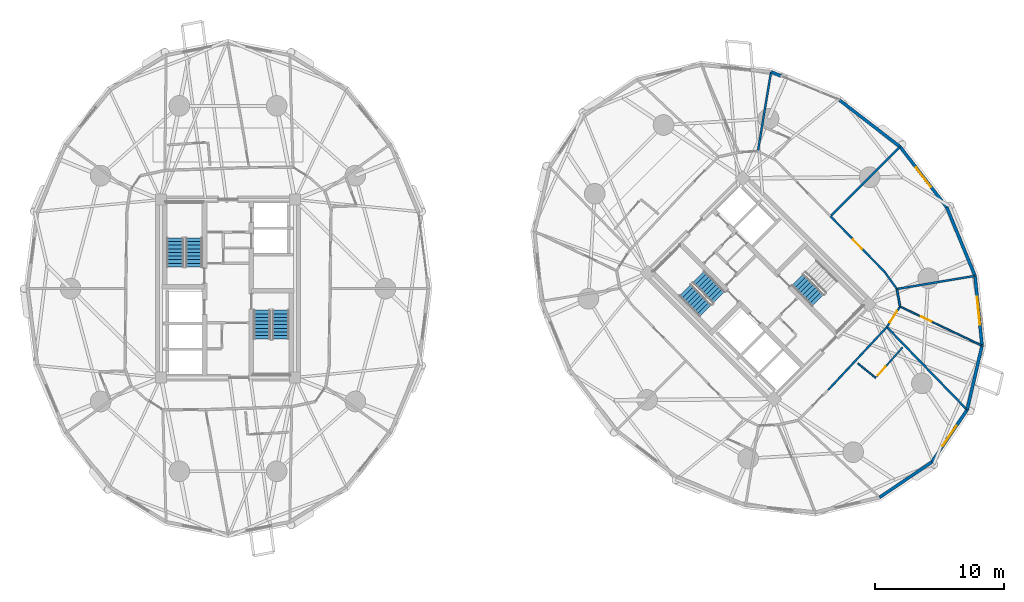
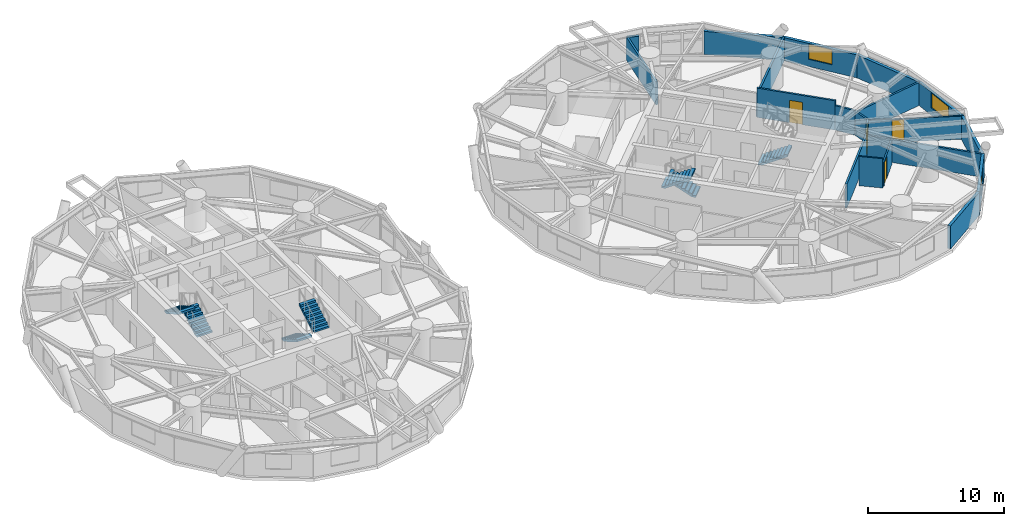
# One storey, part 15 of 18: 20 walls, 7 stair flights, 4 doors, 3 windows, 7 openings, 4 elements without a shape of their own.
"""IFC4 building model written with IfcOpenShell, lengths in metres."""

from ifc_helpers import new_model, si_unit, direction, frame, frame_2d, origin, place, context, subcontext, project, spatial, polyline, rectangle, outline, extrude, source, transform, mapped, material, layer, layer_set, type_object, element, fill, aggregate, save


model = new_model("IFC4")

# Units and contexts
model_context = context("Model", 3, precision=1e-05, world=origin(), true_north=direction((0.0, 1.0)))
body_context = subcontext(model_context, "Body", "Model", "MODEL_VIEW")
ifc_project = project(units=[si_unit("LENGTHUNIT", "METRE"), si_unit("AREAUNIT", "SQUARE_METRE"), si_unit("VOLUMEUNIT", "CUBIC_METRE"), si_unit("PLANEANGLEUNIT", "RADIAN"), si_unit("MASSUNIT", "GRAM", prefix="KILO")], contexts=[model_context])

# Site, building, storey
site_placement = place(None, origin())
site = spatial("IfcSite", under=ifc_project, at=site_placement, CompositionType="ELEMENT")
building_placement = place(site_placement, origin())
building = spatial("IfcBuilding", under=site, at=building_placement, Name="Cununo Teusaquillo Station Towers", CompositionType="ELEMENT")
storey_placement = place(building_placement, frame((0.0, 0.0, 36.550048828125)))
storey = spatial("IfcBuildingStorey", under=building, at=storey_placement, Name="L10", CompositionType="ELEMENT", Elevation=36.550048828125)

# Walls
ifc_material_1 = material(Name="Precast concrete C40/50", Category="concrete")
ifc_layer_1 = layer(ifc_material_1, 0.239990234375)
ifc_layer_set_1 = layer_set([ifc_layer_1], Name="Precast concrete C40/50")
wall_type_1 = type_object("IfcWallType", Name="WL-EXT-240", PredefinedType="SOLIDWALL", material=ifc_layer_set_1)
wall_1_placement = place(storey_placement, frame((63.77783203125, 39.068115234375, 0.0), z_axis=(0.0, 0.0, 1.0), x_axis=(0.792020182601, -0.610494906082, 0.0)))
element("IfcWall", 1, at=wall_1_placement, inside=storey, type_object=wall_type_1, Name="L10 Tower B Exterior Facade Wall C00", PredefinedType="SOLIDWALL", context=body_context, shape_type="SweptSolid", body=[
    extrude(rectangle(XDim=5.9111328125, YDim=0.239990234375, at=frame_2d((2.95556640625, 0.0))), origin(), (0.0, 0.0, 1.0), 2.072998046875),
])
wall_2_placement = place(storey_placement, frame((58.48193359375, 41.2509765625, 0.0), z_axis=(0.0, 0.0, 1.0), x_axis=(0.924556017656, -0.381046152345, 0.0)))
element("IfcWall", 2, at=wall_2_placement, inside=storey, type_object=wall_type_1, Name="L10 Tower B Column Pier Cladding Wall C01-PA", PredefinedType="SOLIDWALL", context=body_context, shape_type="SweptSolid", body=[
    extrude(rectangle(XDim=0.8701171875, YDim=0.239990234375, at=frame_2d((0.43505859375, 0.0))), origin(), (0.0, 0.0, 1.0), 2.072998046875),
])
wall_3_placement = place(storey_placement, frame((70.913818359375, 11.086181640625, 0.0), z_axis=(0.0, 0.0, 1.0), x_axis=(-0.828748297084, -0.559621532896, 0.0)))
element("IfcWall", 3, at=wall_3_placement, inside=storey, type_object=wall_type_1, Name="L10 Tower B Exterior Facade Wall C14", PredefinedType="SOLIDWALL", context=body_context, shape_type="SweptSolid", body=[
    extrude(rectangle(XDim=4.878662109375, YDim=0.239990234375, at=frame_2d((2.439453125, 0.0))), origin(), (0.0, 0.0, 1.0), 2.072998046875),
])

# Wall, opening, window
wall_4_placement = place(storey_placement, frame((73.64404296875, 15.12939453125, 0.0), z_axis=(0.0, 0.0, 1.0), x_axis=(-0.559621532896, -0.828748297084, 0.0)))
wall_4 = element("IfcWall", 4, at=wall_4_placement, inside=storey, type_object=wall_type_1, Name="L10 Tower B Exterior Facade Wall C15", PredefinedType="SOLIDWALL", context=body_context, shape_type="SweptSolid", body=[
    extrude(rectangle(XDim=4.878662109375, YDim=0.239990234375, at=frame_2d((2.439453125, 0.0))), origin(), (0.0, 0.0, 1.0), 2.072998046875),
])
shared_shape_1 = source(origin(), body_context, "Body", "SweptSolid", [
    extrude(rectangle(XDim=1.89990234375, YDim=1.35009765625, at=frame_2d((0.949951171875, 0.675048828125))), frame((0.0, 0.1298828125, 0.0), z_axis=(0.0, -1.0, 0.0), x_axis=(1.0, 0.0, 0.0)), (0.0, 0.0, 1.0), 0.260009765625),
])
opening_1_placement = place(wall_4_placement, frame((1.489013671875, 0.0, 0.64990234375)))
opening_1 = element("IfcOpeningElement", 5, at=opening_1_placement, cuts=wall_4, Name="Opening WN-02", PredefinedType="OPENING", context=body_context, shape_type="MappedRepresentation", body=[
    mapped(shared_shape_1, transform((0.0, 0.0, 0.0), x_axis=(1.0, 0.0, 0.0), y_axis=(0.0, 1.0, 0.0), z_axis=(0.0, 0.0, 1.0), scale=1.0)),
])
ifc_material_2 = material(Name="Operable acoustic tinted low-E double glazing", Category="glass")
window_type_1 = type_object("IfcWindowType", Name="WIN-OPER-1900", PartitioningType="DOUBLE_PANEL_VERTICAL", PredefinedType="WINDOW", material=ifc_material_2)
shared_shape_2 = source(origin(), body_context, "Body", "SweptSolid", [
    extrude(rectangle(XDim=1.89990234375, YDim=1.35009765625, at=frame_2d((0.949951171875, 0.675048828125))), frame((0.0, 0.030029296875, 0.0), z_axis=(0.0, -1.0, 0.0), x_axis=(1.0, 0.0, 0.0)), (0.0, 0.0, 1.0), 0.06005859375),
])
window_1_placement = place(opening_1_placement, origin())
window_1 = element("IfcWindow", 6, at=window_1_placement, inside=storey, type_object=window_type_1, Name="L10 Tower B Facade Window C15", OverallHeight=1.35009765625, OverallWidth=1.89990234375, PartitioningType="DOUBLE_PANEL_VERTICAL", PredefinedType="WINDOW", context=body_context, shape_type="MappedRepresentation", body=[
    mapped(shared_shape_2, transform((0.0, 0.0, 0.0), x_axis=(1.0, 0.0, 0.0), y_axis=(0.0, 1.0, 0.0), z_axis=(0.0, 0.0, 1.0), scale=1.0)),
])
fill(opening_1, window_1)

# Wall
wall_5_placement = place(storey_placement, frame((74.7939453125, 20.08984375, 0.0), z_axis=(0.0, 0.0, 1.0), x_axis=(-0.22582585901, -0.974167686491, 0.0)))
element("IfcWall", 7, at=wall_5_placement, inside=storey, type_object=wall_type_1, Name="L10 Tower B Exterior Facade Wall C16", PredefinedType="SOLIDWALL", context=body_context, shape_type="SweptSolid", body=[
    extrude(rectangle(XDim=5.092041015625, YDim=0.239990234375, at=frame_2d((2.5458984375, 0.0))), origin(), (0.0, 0.0, 1.0), 2.072998046875),
])

# Wall, opening, window
wall_6_placement = place(storey_placement, frame((74.2509765625, 25.48193359375, 0.0), z_axis=(0.0, 0.0, 1.0), x_axis=(0.100190592135, -0.994968263437, 0.0)))
wall_6 = element("IfcWall", 8, at=wall_6_placement, inside=storey, type_object=wall_type_1, Name="L10 Tower B Exterior Facade Wall C17", PredefinedType="SOLIDWALL", context=body_context, shape_type="SweptSolid", body=[
    extrude(rectangle(XDim=5.41943359375, YDim=0.239990234375, at=frame_2d((2.709716796875, 0.0))), origin(), (0.0, 0.0, 1.0), 2.072998046875),
])
shared_shape_3 = source(origin(), body_context, "Body", "SweptSolid", [
    extrude(rectangle(XDim=2.199951171875, YDim=1.35009765625, at=frame_2d((1.10009765625, 0.675048828125))), frame((0.0, 0.1298828125, 0.0), z_axis=(0.0, -1.0, 0.0), x_axis=(1.0, 0.0, 0.0)), (0.0, 0.0, 1.0), 0.260009765625),
])
opening_2_placement = place(wall_6_placement, frame((1.610107421875, 0.0, 0.64990234375)))
opening_2 = element("IfcOpeningElement", 9, at=opening_2_placement, cuts=wall_6, Name="Opening WN-01", PredefinedType="OPENING", context=body_context, shape_type="MappedRepresentation", body=[
    mapped(shared_shape_3, transform((0.0, 0.0, 0.0), x_axis=(1.0, 0.0, 0.0), y_axis=(0.0, 1.0, 0.0), z_axis=(0.0, 0.0, 1.0), scale=1.0)),
])
ifc_material_3 = material(Name="Ceramic-fritted dark low-E double glazing", Category="glass")
window_type_2 = type_object("IfcWindowType", Name="WIN-FRIT-2200", PartitioningType="DOUBLE_PANEL_VERTICAL", PredefinedType="WINDOW", material=ifc_material_3)
shared_shape_4 = source(origin(), body_context, "Body", "SweptSolid", [
    extrude(rectangle(XDim=2.199951171875, YDim=1.35009765625, at=frame_2d((1.10009765625, 0.675048828125))), frame((0.0, 0.030029296875, 0.0), z_axis=(0.0, -1.0, 0.0), x_axis=(1.0, 0.0, 0.0)), (0.0, 0.0, 1.0), 0.06005859375),
])
window_2_placement = place(opening_2_placement, origin())
window_2 = element("IfcWindow", 10, at=window_2_placement, inside=storey, type_object=window_type_2, Name="L10 Tower B Facade Window C17", OverallHeight=1.35009765625, OverallWidth=2.199951171875, PartitioningType="DOUBLE_PANEL_VERTICAL", PredefinedType="WINDOW", context=body_context, shape_type="MappedRepresentation", body=[
    mapped(shared_shape_4, transform((0.0, 0.0, 0.0), x_axis=(1.0, 0.0, 0.0), y_axis=(0.0, 1.0, 0.0), z_axis=(0.0, 0.0, 1.0), scale=1.0)),
])
fill(opening_2, window_2)

# Wall
wall_7_placement = place(storey_placement, frame((72.068115234375, 30.77783203125, 0.0), z_axis=(0.0, 0.0, 1.0), x_axis=(0.381077764176, -0.924542988536, 0.0)))
element("IfcWall", 11, at=wall_7_placement, inside=storey, type_object=wall_type_1, Name="L10 Tower B Exterior Facade Wall C18", PredefinedType="SOLIDWALL", context=body_context, shape_type="SweptSolid", body=[
    extrude(rectangle(XDim=5.72802734375, YDim=0.239990234375, at=frame_2d((2.864013671875, 0.0))), origin(), (0.0, 0.0, 1.0), 2.072998046875),
])

# Wall, opening, window
wall_8_placement = place(storey_placement, frame((68.45947265625, 35.45947265625, 0.0), z_axis=(0.0, 0.0, 1.0), x_axis=(0.610494906082, -0.792020182601, 0.0)))
wall_8 = element("IfcWall", 12, at=wall_8_placement, inside=storey, type_object=wall_type_1, Name="L10 Tower B Exterior Facade Wall C19", PredefinedType="SOLIDWALL", context=body_context, shape_type="SweptSolid", body=[
    extrude(rectangle(XDim=5.9111328125, YDim=0.239990234375, at=frame_2d((2.95556640625, 0.0))), origin(), (0.0, 0.0, 1.0), 2.072998046875),
])
opening_3_placement = place(wall_8_placement, frame((2.0048828125, 0.0, 0.64990234375)))
opening_3 = element("IfcOpeningElement", 13, at=opening_3_placement, cuts=wall_8, Name="Opening WN-02", PredefinedType="OPENING", context=body_context, shape_type="MappedRepresentation", body=[
    mapped(shared_shape_1, transform((0.0, 0.0, 0.0), x_axis=(1.0, 0.0, 0.0), y_axis=(0.0, 1.0, 0.0), z_axis=(0.0, 0.0, 1.0), scale=1.0)),
])
window_3_placement = place(opening_3_placement, origin())
window_3 = element("IfcWindow", 14, at=window_3_placement, inside=storey, type_object=window_type_1, Name="L10 Tower B Facade Window C19", OverallHeight=1.35009765625, OverallWidth=1.89990234375, PartitioningType="DOUBLE_PANEL_VERTICAL", PredefinedType="WINDOW", context=body_context, shape_type="MappedRepresentation", body=[
    mapped(shared_shape_2, transform((0.0, 0.0, 0.0), x_axis=(1.0, 0.0, 0.0), y_axis=(0.0, 1.0, 0.0), z_axis=(0.0, 0.0, 1.0), scale=1.0)),
])
fill(opening_3, window_3)

# Wall
ifc_material_4 = material(Name="Fire-rated gypsum plasterboard partition assembly", Category="gypsum")
ifc_layer_2 = layer(ifc_material_4, 0.125)
ifc_layer_set_2 = layer_set([ifc_layer_2], Name="Fire-rated gypsum plasterboard partition assembly")
wall_type_2 = type_object("IfcWallType", Name="WL-PART-125", PredefinedType="PARTITIONING", material=ifc_layer_set_2)
wall_9_placement = place(storey_placement, frame((65.202392578125, 18.721435546875, 0.0), z_axis=(0.0, 0.0, 1.0), x_axis=(0.769814202386, -0.638268042287, 0.0)))
element("IfcWall", 15, at=wall_9_placement, inside=storey, type_object=wall_type_2, Name="L10 Tower B S07 En-suite Side Wall", PredefinedType="PARTITIONING", context=body_context, shape_type="SweptSolid", body=[
    extrude(rectangle(XDim=1.768798828125, YDim=0.125, at=frame_2d((0.88427734375, 0.0))), origin(), (0.0, 0.0, 1.0), 2.635009765625),
])

# Wall, opening, door
wall_10_placement = place(storey_placement, frame((66.667236328125, 17.70947265625, 0.0), z_axis=(0.0, 0.0, 1.0), x_axis=(0.662510581678, 0.749052554341, 0.0)))
wall_10 = element("IfcWall", 16, at=wall_10_placement, inside=storey, type_object=wall_type_2, Name="L10 Tower B S07 En-suite Back Wall", PredefinedType="PARTITIONING", context=body_context, shape_type="SweptSolid", body=[
    extrude(rectangle(XDim=2.99609375, YDim=0.125, at=frame_2d((1.498046875, 0.0))), origin(), (0.0, 0.0, 1.0), 2.158935546875),
])
shared_shape_5 = source(origin(), body_context, "Body", "SweptSolid", [
    extrude(rectangle(XDim=0.89990234375, YDim=2.0048828125, at=frame_2d((0.449951171875, 1.00244140625))), frame((0.0, 0.072509765625, 0.0), z_axis=(0.0, -1.0, 0.0), x_axis=(1.0, 0.0, 0.0)), (0.0, 0.0, 1.0), 0.14501953125),
])
opening_4_placement = place(wall_10_placement, frame((0.1201171875, 0.0, 0.0)))
opening_4 = element("IfcOpeningElement", 17, at=opening_4_placement, cuts=wall_10, Name="Opening D-IN1", PredefinedType="OPENING", context=body_context, shape_type="MappedRepresentation", body=[
    mapped(shared_shape_5, transform((0.0, 0.0, 0.0), x_axis=(1.0, 0.0, 0.0), y_axis=(0.0, 1.0, 0.0), z_axis=(0.0, 0.0, 1.0), scale=1.0)),
])
ifc_material_5 = material(Name="Acoustic solid-core hardwood leaf assembly", Category="wood")
door_type_1 = type_object("IfcDoorType", Name="DR-INT-900", OperationType="NOTDEFINED", PredefinedType="DOOR", material=ifc_material_5)
shared_shape_6 = source(origin(), body_context, "Body", "SweptSolid", [
    extrude(rectangle(XDim=0.89990234375, YDim=2.0048828125, at=frame_2d((0.449951171875, 1.00244140625))), frame((0.0, 0.02490234375, 0.0), z_axis=(0.0, -1.0, 0.0), x_axis=(1.0, 0.0, 0.0)), (0.0, 0.0, 1.0), 0.050048828125),
])
door_1_placement = place(opening_4_placement, origin())
door_1 = element("IfcDoor", 18, at=door_1_placement, inside=storey, type_object=door_type_1, Name="L10 Tower B S07 En-suite Bathroom Door", OperationType="SINGLE_SWING_RIGHT", OverallHeight=2.0048828125, OverallWidth=0.89990234375, PredefinedType="DOOR", context=body_context, shape_type="MappedRepresentation", body=[
    mapped(shared_shape_6, transform((0.0, 0.0, 0.0), x_axis=(1.0, 0.0, 0.0), y_axis=(0.0, 1.0, 0.0), z_axis=(0.0, 0.0, 1.0), scale=1.0)),
])
fill(opening_4, door_1)

wall_11_placement = place(storey_placement, frame((68.45556640625, 23.109619140625, 0.0), z_axis=(0.0, 0.0, 1.0), x_axis=(0.902430819297, -0.430834790125, 0.0)))
wall_11 = element("IfcWall", 19, at=wall_11_placement, inside=storey, type_object=wall_type_2, Name="L10 Tower B Hotel Housekeeping & Linen Pantry Suite Subdividing Wall", PredefinedType="PARTITIONING", context=body_context, shape_type="SweptSolid", body=[
    extrude(rectangle(XDim=7.001708984375, YDim=0.125, at=frame_2d((3.5009765625, 0.0))), origin(), (0.0, 0.0, 1.0), 2.072998046875),
])
opening_5_placement = place(wall_11_placement, frame((1.800048828125, 0.0, 0.0)))
opening_5 = element("IfcOpeningElement", 20, at=opening_5_placement, cuts=wall_11, Name="Opening D-IN1", PredefinedType="OPENING", context=body_context, shape_type="MappedRepresentation", body=[
    mapped(shared_shape_5, transform((0.0, 0.0, 0.0), x_axis=(1.0, 0.0, 0.0), y_axis=(0.0, 1.0, 0.0), z_axis=(0.0, 0.0, 1.0), scale=1.0)),
])
door_2_placement = place(opening_5_placement, origin())
door_2 = element("IfcDoor", 21, at=door_2_placement, inside=storey, type_object=door_type_1, Name="L10 Tower B Hotel Housekeeping & Linen Pantry Suite Connecting Door", OperationType="SINGLE_SWING_RIGHT", OverallHeight=2.0048828125, OverallWidth=0.89990234375, PredefinedType="DOOR", context=body_context, shape_type="MappedRepresentation", body=[
    mapped(shared_shape_6, transform((0.0, 0.0, 0.0), x_axis=(1.0, 0.0, 0.0), y_axis=(0.0, 1.0, 0.0), z_axis=(0.0, 0.0, 1.0), scale=1.0)),
])
fill(opening_5, door_2)

# Wall
ifc_material_6 = material(Name="Fire-rated gypsum plasterboard partition assembly", Category="gypsum")
ifc_layer_3 = layer(ifc_material_6, 0.14990234375)
ifc_layer_set_3 = layer_set([ifc_layer_3], Name="Fire-rated gypsum plasterboard partition assembly")
wall_type_3 = type_object("IfcWallType", Name="WL-PART-150", PredefinedType="PARTITIONING", material=ifc_layer_set_3)
wall_12_placement = place(storey_placement, frame((62.902587890625, 16.66650390625, 0.0), z_axis=(0.0, 0.0, 1.0), x_axis=(0.682371947497, 0.731005147225, 0.0)))
element("IfcWall", 22, at=wall_12_placement, inside=storey, type_object=wall_type_3, Name="L10 Tower B Corridor Ring Wall C15", PredefinedType="PARTITIONING", context=body_context, shape_type="SweptSolid", body=[
    extrude(rectangle(XDim=6.6416015625, YDim=0.14990234375, at=frame_2d((3.32080078125, 0.0))), origin(), (0.0, 0.0, 1.0), 2.158935546875),
])

# Wall, opening, door
wall_13_placement = place(storey_placement, frame((67.4345703125, 21.521484375, 0.0), z_axis=(0.0, 0.0, 1.0), x_axis=(0.540777197838, 0.841165870859, 0.0)))
wall_13 = element("IfcWall", 23, at=wall_13_placement, inside=storey, type_object=wall_type_3, Name="L10 Tower B Corridor Ring Wall C16", PredefinedType="PARTITIONING", context=body_context, shape_type="SweptSolid", body=[
    extrude(rectangle(XDim=1.887939453125, YDim=0.14990234375, at=frame_2d((0.94384765625, 0.0))), origin(), (0.0, 0.0, 1.0), 2.204833984375),
])
shared_shape_7 = source(origin(), body_context, "Body", "SweptSolid", [
    extrude(rectangle(XDim=1.050048828125, YDim=2.014892578125, at=frame_2d((0.52490234375, 1.00732421875))), frame((0.0, 0.0849609375, 0.0), z_axis=(0.0, -1.0, 0.0), x_axis=(1.0, 0.0, 0.0)), (0.0, 0.0, 1.0), 0.169921875),
])
opening_6_placement = place(wall_13_placement, frame((0.4189453125, 0.0, 0.0)))
opening_6 = element("IfcOpeningElement", 24, at=opening_6_placement, cuts=wall_13, Name="Opening D-SU1", PredefinedType="OPENING", context=body_context, shape_type="MappedRepresentation", body=[
    mapped(shared_shape_7, transform((0.0, 0.0, 0.0), x_axis=(1.0, 0.0, 0.0), y_axis=(0.0, 1.0, 0.0), z_axis=(0.0, 0.0, 1.0), scale=1.0)),
])
ifc_material_7 = material(Name="Acoustic solid-core hardwood leaf assembly", Category="wood")
door_type_2 = type_object("IfcDoorType", Name="DR-SUITE-1050", OperationType="NOTDEFINED", PredefinedType="DOOR", material=ifc_material_7)
shared_shape_8 = source(origin(), body_context, "Body", "SweptSolid", [
    extrude(rectangle(XDim=1.050048828125, YDim=2.014892578125, at=frame_2d((0.52490234375, 1.00732421875))), frame((0.0, 0.02490234375, 0.0), z_axis=(0.0, -1.0, 0.0), x_axis=(1.0, 0.0, 0.0)), (0.0, 0.0, 1.0), 0.050048828125),
])
door_3_placement = place(opening_6_placement, origin())
door_3 = element("IfcDoor", 25, at=door_3_placement, inside=storey, type_object=door_type_2, Name="L10 Tower B Hotel Housekeeping & Linen Pantry Entrance Door", OperationType="SINGLE_SWING_LEFT", OverallHeight=2.014892578125, OverallWidth=1.050048828125, PredefinedType="DOOR", context=body_context, shape_type="MappedRepresentation", body=[
    mapped(shared_shape_8, transform((0.0, 0.0, 0.0), x_axis=(1.0, 0.0, 0.0), y_axis=(0.0, 1.0, 0.0), z_axis=(0.0, 0.0, 1.0), scale=1.0)),
])
fill(opening_6, door_3)

# Walls
wall_14_placement = place(storey_placement, frame((68.45556640625, 23.109619140625, 0.0), z_axis=(0.0, 0.0, 1.0), x_axis=(-0.1772522795, 0.984165448191, 0.0)))
element("IfcWall", 26, at=wall_14_placement, inside=storey, type_object=wall_type_3, Name="L10 Tower B Corridor Ring Wall C17", PredefinedType="PARTITIONING", context=body_context, shape_type="SweptSolid", body=[
    extrude(rectangle(XDim=1.381591796875, YDim=0.14990234375, at=frame_2d((0.69091796875, 0.0))), origin(), (0.0, 0.0, 1.0), 2.158935546875),
])
wall_15_placement = place(storey_placement, frame((68.210693359375, 24.46923828125, 0.0), z_axis=(0.0, 0.0, 1.0), x_axis=(-0.583012141368, 0.812463441034, 0.0)))
element("IfcWall", 27, at=wall_15_placement, inside=storey, type_object=wall_type_3, Name="L10 Tower B Corridor Ring Wall C18", PredefinedType="PARTITIONING", context=body_context, shape_type="SweptSolid", body=[
    extrude(rectangle(XDim=1.613037109375, YDim=0.14990234375, at=frame_2d((0.806640625, 0.0))), origin(), (0.0, 0.0, 1.0), 2.204833984375),
])

# Wall, opening, door
wall_16_placement = place(storey_placement, frame((67.270263671875, 25.77978515625, 0.0), z_axis=(0.0, 0.0, 1.0), x_axis=(-0.696847842907, 0.717218992942, 0.0)))
wall_16 = element("IfcWall", 28, at=wall_16_placement, inside=storey, type_object=wall_type_3, Name="L10 Tower B Corridor Ring Wall C19", PredefinedType="PARTITIONING", context=body_context, shape_type="SweptSolid", body=[
    extrude(rectangle(XDim=6.00439453125, YDim=0.14990234375, at=frame_2d((3.002197265625, 0.0))), origin(), (0.0, 0.0, 1.0), 2.635009765625),
])
shared_shape_9 = source(origin(), body_context, "Body", "SweptSolid", [
    extrude(rectangle(XDim=1.0, YDim=2.014892578125, at=frame_2d((0.5, 1.00732421875))), frame((0.0, 0.0849609375, 0.0), z_axis=(0.0, -1.0, 0.0), x_axis=(1.0, 0.0, 0.0)), (0.0, 0.0, 1.0), 0.169921875),
])
opening_7_placement = place(wall_16_placement, frame((2.502197265625, 0.0, 0.0)))
opening_7 = element("IfcOpeningElement", 29, at=opening_7_placement, cuts=wall_16, Name="Opening D-AC1", PredefinedType="OPENING", context=body_context, shape_type="MappedRepresentation", body=[
    mapped(shared_shape_9, transform((0.0, 0.0, 0.0), x_axis=(1.0, 0.0, 0.0), y_axis=(0.0, 1.0, 0.0), z_axis=(0.0, 0.0, 1.0), scale=1.0)),
])
ifc_material_8 = material(Name="Acoustic solid-core hardwood leaf assembly", Category="wood")
door_type_3 = type_object("IfcDoorType", Name="DR-ACC-1000", OperationType="NOTDEFINED", PredefinedType="DOOR", material=ifc_material_8)
shared_shape_10 = source(origin(), body_context, "Body", "SweptSolid", [
    extrude(rectangle(XDim=1.0, YDim=2.014892578125, at=frame_2d((0.5, 1.00732421875))), frame((0.0, 0.02490234375, 0.0), z_axis=(0.0, -1.0, 0.0), x_axis=(1.0, 0.0, 0.0)), (0.0, 0.0, 1.0), 0.050048828125),
])
door_4_placement = place(opening_7_placement, origin())
door_4 = element("IfcDoor", 30, at=door_4_placement, inside=storey, type_object=door_type_3, Name="L10 Tower B Public Accessible Restroom WC Entrance Door", OperationType="SINGLE_SWING_LEFT", OverallHeight=2.014892578125, OverallWidth=1.0, PredefinedType="DOOR", context=body_context, shape_type="MappedRepresentation", body=[
    mapped(shared_shape_10, transform((0.0, 0.0, 0.0), x_axis=(1.0, 0.0, 0.0), y_axis=(0.0, 1.0, 0.0), z_axis=(0.0, 0.0, 1.0), scale=1.0)),
])
fill(opening_7, door_4)

# Walls
ifc_material_9 = material(Name="Fire-rated gypsum plasterboard partition assembly", Category="gypsum")
ifc_layer_4 = layer(ifc_material_9, 0.159912109375)
ifc_layer_set_4 = layer_set([ifc_layer_4], Name="Fire-rated gypsum plasterboard partition assembly")
wall_type_4 = type_object("IfcWallType", Name="WL-PART-160", PredefinedType="PARTITIONING", material=ifc_layer_set_4)
wall_17_placement = place(storey_placement, frame((63.086181640625, 30.086181640625, 0.0), z_axis=(0.0, 0.0, 1.0), x_axis=(0.707106781187, 0.707106781187, 0.0)))
element("IfcWall", 31, at=wall_17_placement, inside=storey, type_object=wall_type_4, Name="L10 Tower B Radial Suite Partition R01", PredefinedType="PARTITIONING", context=body_context, shape_type="SweptSolid", body=[
    extrude(rectangle(XDim=7.578857421875, YDim=0.159912109375, at=frame_2d((3.78955078125, 0.0))), origin(), (0.0, 0.0, 1.0), 2.072998046875),
])
wall_18_placement = place(storey_placement, frame((57.466796875, 35.111328125, 0.0), z_axis=(0.0, 0.0, 1.0), x_axis=(0.163141505202, 0.986602680556, 0.0)))
element("IfcWall", 32, at=wall_18_placement, inside=storey, type_object=wall_type_4, Name="L10 Tower B Radial Suite Partition R02", PredefinedType="PARTITIONING", context=body_context, shape_type="SweptSolid", body=[
    extrude(rectangle(XDim=6.202880859375, YDim=0.159912109375, at=frame_2d((3.1015625, 0.0))), origin(), (0.0, 0.0, 1.0), 2.072998046875),
])
wall_19_placement = place(storey_placement, frame((67.4345703125, 21.521484375, 0.0), z_axis=(0.0, 0.0, 1.0), x_axis=(0.6962628802, -0.717786877601, 0.0)))
element("IfcWall", 33, at=wall_19_placement, inside=storey, type_object=wall_type_4, Name="L10 Tower B Radial Suite Partition R09", PredefinedType="PARTITIONING", context=body_context, shape_type="SweptSolid", body=[
    extrude(rectangle(XDim=8.892578125, YDim=0.159912109375, at=frame_2d((4.4462890625, 0.0))), origin(), (0.0, 0.0, 1.0), 2.072998046875),
])
wall_20_placement = place(storey_placement, frame((68.210693359375, 24.46923828125, 0.0), z_axis=(0.0, 0.0, 1.0), x_axis=(0.986231309699, 0.165371713934, 0.0)))
element("IfcWall", 34, at=wall_20_placement, inside=storey, type_object=wall_type_4, Name="L10 Tower B Radial Suite Partition R10", PredefinedType="PARTITIONING", context=body_context, shape_type="SweptSolid", body=[
    extrude(rectangle(XDim=6.1044921875, YDim=0.159912109375, at=frame_2d((3.05224609375, 0.0))), origin(), (0.0, 0.0, 1.0), 2.072998046875),
])

# Stair, stair flights
ifc_material_10 = material(Name="Concrete C50/60", Category="concrete")
stair_type = type_object("IfcStairType", Name="ST-TWR-1300", PredefinedType="HALF_TURN_STAIR", material=ifc_material_10)
stair_1_placement = place(storey_placement, origin())
stair_1 = element("IfcStair", 35, at=stair_1_placement, inside=storey, type_object=stair_type, Name="L10 Tower A Protected Core Exit Stair 1", PredefinedType="HALF_TURN_STAIR")
ifc_material_11 = material(Name="Concrete C50/60", Category="concrete")
stair_flight_type = type_object("IfcStairFlightType", Name="SFL-TWR-1300", PredefinedType="STRAIGHT", material=ifc_material_11)
stair_flight_1_placement = place(storey_placement, frame((13.8701171875, 26.169921875, 0.0), z_axis=(0.0, 0.0, 1.0), x_axis=(0.0, 1.0, 0.0)))
stair_flight_1 = element("IfcStairFlight", 36, at=stair_flight_1_placement, type_object=stair_flight_type, Name="ST-T1-1 flight 1", NumberOfRisers=9, NumberOfTreads=8, PredefinedType="STRAIGHT", RiserHeight=0.161666667, TreadLength=0.28, context=body_context, shape_type="SweptSolid", body=[
    extrude(outline(polyline([(0.0, 0.0), (0.0, 0.16162109375), (0.280029296875, 0.16162109375), (0.280029296875, 0.3232421875), (0.56005859375, 0.3232421875), (0.56005859375, 0.485107421875), (0.840087890625, 0.485107421875), (0.840087890625, 0.646728515625), (1.1201171875, 0.646728515625), (1.1201171875, 0.808349609375), (1.39990234375, 0.808349609375), (1.39990234375, 0.969970703125), (1.679931640625, 0.969970703125), (1.679931640625, 1.131591796875), (1.9599609375, 1.131591796875), (1.9599609375, 1.293212890625), (2.239990234375, 1.293212890625), (2.239990234375, 1.455078125), (2.239990234375, 1.1201171875), (0.2998046875, 0.0), (0.0, 0.0)])), frame((0.0, 0.64990234375, 0.0), z_axis=(0.0, -1.0, 0.0), x_axis=(1.0, 0.0, 0.0)), (0.0, 0.0, 1.0), 1.300048828125),
])
stair_flight_2_placement = place(storey_placement, frame((12.409912109375, 28.409912109375, 1.454833984375), z_axis=(0.0, 0.0, 1.0), x_axis=(0.0, -1.0, 0.0)))
stair_flight_2 = element("IfcStairFlight", 37, at=stair_flight_2_placement, type_object=stair_flight_type, Name="ST-T1-1 flight 2", NumberOfRisers=9, NumberOfTreads=8, PredefinedType="STRAIGHT", RiserHeight=0.161666667, TreadLength=0.28, context=body_context, shape_type="SweptSolid", body=[
    extrude(outline(polyline([(0.0, 0.0), (0.0, 0.16162109375), (0.280029296875, 0.16162109375), (0.280029296875, 0.3232421875), (0.56005859375, 0.3232421875), (0.56005859375, 0.485107421875), (0.840087890625, 0.485107421875), (0.840087890625, 0.646728515625), (1.1201171875, 0.646728515625), (1.1201171875, 0.808349609375), (1.39990234375, 0.808349609375), (1.39990234375, 0.969970703125), (1.679931640625, 0.969970703125), (1.679931640625, 1.131591796875), (1.9599609375, 1.131591796875), (1.9599609375, 1.293212890625), (2.239990234375, 1.293212890625), (2.239990234375, 1.455078125), (2.239990234375, 1.1201171875), (0.2998046875, 0.0), (0.0, 0.0)])), frame((0.0, 0.64990234375, 0.0), z_axis=(0.0, -1.0, 0.0), x_axis=(1.0, 0.0, 0.0)), (0.0, 0.0, 1.0), 1.300048828125),
])
aggregate(stair_1, [stair_flight_1, stair_flight_2])

stair_2_placement = place(storey_placement, origin())
stair_2 = element("IfcStair", 38, at=stair_2_placement, inside=storey, type_object=stair_type, Name="L10 Tower A Protected Core Exit Stair 2", PredefinedType="HALF_TURN_STAIR")
stair_flight_3_placement = place(storey_placement, frame((19.1298828125, 22.830078125, 0.0), z_axis=(0.0, 0.0, 1.0), x_axis=(0.0, -1.0, 0.0)))
stair_flight_3 = element("IfcStairFlight", 39, at=stair_flight_3_placement, type_object=stair_flight_type, Name="ST-T1-2 flight 1", NumberOfRisers=9, NumberOfTreads=8, PredefinedType="STRAIGHT", RiserHeight=0.161666667, TreadLength=0.28, context=body_context, shape_type="SweptSolid", body=[
    extrude(outline(polyline([(0.0, 0.0), (0.0, 0.16162109375), (0.280029296875, 0.16162109375), (0.280029296875, 0.3232421875), (0.56005859375, 0.3232421875), (0.56005859375, 0.485107421875), (0.840087890625, 0.485107421875), (0.840087890625, 0.646728515625), (1.1201171875, 0.646728515625), (1.1201171875, 0.808349609375), (1.39990234375, 0.808349609375), (1.39990234375, 0.969970703125), (1.679931640625, 0.969970703125), (1.679931640625, 1.131591796875), (1.9599609375, 1.131591796875), (1.9599609375, 1.293212890625), (2.239990234375, 1.293212890625), (2.239990234375, 1.455078125), (2.239990234375, 1.1201171875), (0.2998046875, 0.0), (0.0, 0.0)])), frame((0.0, 0.64990234375, 0.0), z_axis=(0.0, -1.0, 0.0), x_axis=(1.0, 0.0, 0.0)), (0.0, 0.0, 1.0), 1.300048828125),
])
stair_flight_4_placement = place(storey_placement, frame((20.590087890625, 20.590087890625, 1.454833984375), z_axis=(0.0, 0.0, 1.0), x_axis=(0.0, 1.0, 0.0)))
stair_flight_4 = element("IfcStairFlight", 40, at=stair_flight_4_placement, type_object=stair_flight_type, Name="ST-T1-2 flight 2", NumberOfRisers=9, NumberOfTreads=8, PredefinedType="STRAIGHT", RiserHeight=0.161666667, TreadLength=0.28, context=body_context, shape_type="SweptSolid", body=[
    extrude(outline(polyline([(0.0, 0.0), (0.0, 0.16162109375), (0.280029296875, 0.16162109375), (0.280029296875, 0.3232421875), (0.56005859375, 0.3232421875), (0.56005859375, 0.485107421875), (0.840087890625, 0.485107421875), (0.840087890625, 0.646728515625), (1.1201171875, 0.646728515625), (1.1201171875, 0.808349609375), (1.39990234375, 0.808349609375), (1.39990234375, 0.969970703125), (1.679931640625, 0.969970703125), (1.679931640625, 1.131591796875), (1.9599609375, 1.131591796875), (1.9599609375, 1.293212890625), (2.239990234375, 1.293212890625), (2.239990234375, 1.455078125), (2.239990234375, 1.1201171875), (0.2998046875, 0.0), (0.0, 0.0)])), frame((0.0, 0.64990234375, 0.0), z_axis=(0.0, -1.0, 0.0), x_axis=(1.0, 0.0, 0.0)), (0.0, 0.0, 1.0), 1.300048828125),
])
aggregate(stair_2, [stair_flight_3, stair_flight_4])

stair_3_placement = place(storey_placement, origin())
stair_3 = element("IfcStair", 41, at=stair_3_placement, inside=storey, type_object=stair_type, Name="L10 Tower B Protected Core Exit Stair 1", PredefinedType="HALF_TURN_STAIR")
stair_flight_5_placement = place(storey_placement, frame((54.45947265625, 23.8212890625, 0.0), z_axis=(0.0, 0.0, 1.0), x_axis=(-0.707106781187, 0.707106781187, 0.0)))
stair_flight_5 = element("IfcStairFlight", 42, at=stair_flight_5_placement, type_object=stair_flight_type, Name="ST-T2-1 flight 1", NumberOfRisers=9, NumberOfTreads=8, PredefinedType="STRAIGHT", RiserHeight=0.161666667, TreadLength=0.28, context=body_context, shape_type="SweptSolid", body=[
    extrude(outline(polyline([(0.0, 0.0), (0.0, 0.16162109375), (0.280029296875, 0.16162109375), (0.280029296875, 0.3232421875), (0.56005859375, 0.3232421875), (0.56005859375, 0.485107421875), (0.840087890625, 0.485107421875), (0.840087890625, 0.646728515625), (1.1201171875, 0.646728515625), (1.1201171875, 0.808349609375), (1.39990234375, 0.808349609375), (1.39990234375, 0.969970703125), (1.679931640625, 0.969970703125), (1.679931640625, 1.131591796875), (1.9599609375, 1.131591796875), (1.9599609375, 1.293212890625), (2.239990234375, 1.293212890625), (2.239990234375, 1.455078125), (2.239990234375, 1.1201171875), (0.2998046875, 0.0), (0.0, 0.0)])), frame((0.0, 0.64990234375, 0.0), z_axis=(0.0, -1.0, 0.0), x_axis=(1.0, 0.0, 0.0)), (0.0, 0.0, 1.0), 1.300048828125),
])
stair_flight_6_placement = place(storey_placement, frame((51.84326171875, 24.372802734375, 1.454833984375), z_axis=(0.0, 0.0, 1.0), x_axis=(0.707106781187, -0.707106781187, 0.0)))
stair_flight_6 = element("IfcStairFlight", 43, at=stair_flight_6_placement, type_object=stair_flight_type, Name="ST-T2-1 flight 2", NumberOfRisers=9, NumberOfTreads=8, PredefinedType="STRAIGHT", RiserHeight=0.161666667, TreadLength=0.28, context=body_context, shape_type="SweptSolid", body=[
    extrude(outline(polyline([(0.0, 0.0), (0.0, 0.16162109375), (0.280029296875, 0.16162109375), (0.280029296875, 0.3232421875), (0.56005859375, 0.3232421875), (0.56005859375, 0.485107421875), (0.840087890625, 0.485107421875), (0.840087890625, 0.646728515625), (1.1201171875, 0.646728515625), (1.1201171875, 0.808349609375), (1.39990234375, 0.808349609375), (1.39990234375, 0.969970703125), (1.679931640625, 0.969970703125), (1.679931640625, 1.131591796875), (1.9599609375, 1.131591796875), (1.9599609375, 1.293212890625), (2.239990234375, 1.293212890625), (2.239990234375, 1.455078125), (2.239990234375, 1.1201171875), (0.2998046875, 0.0), (0.0, 0.0)])), frame((0.0, 0.64990234375, 0.0), z_axis=(0.0, -1.0, 0.0), x_axis=(1.0, 0.0, 0.0)), (0.0, 0.0, 1.0), 1.300048828125),
])
aggregate(stair_3, [stair_flight_5, stair_flight_6])

# Stair, stair flight
stair_4_placement = place(storey_placement, origin())
stair_4 = element("IfcStair", 44, at=stair_4_placement, inside=storey, type_object=stair_type, Name="L10 Tower B Protected Core Exit Stair 2", PredefinedType="HALF_TURN_STAIR")
stair_flight_7_placement = place(storey_placement, frame((60.54052734375, 25.1787109375, 0.0), z_axis=(0.0, 0.0, 1.0), x_axis=(0.707106781187, -0.707106781187, 0.0)))
stair_flight_7 = element("IfcStairFlight", 45, at=stair_flight_7_placement, type_object=stair_flight_type, Name="ST-T2-2 flight 1", NumberOfRisers=9, NumberOfTreads=8, PredefinedType="STRAIGHT", RiserHeight=0.161666667, TreadLength=0.28, context=body_context, shape_type="SweptSolid", body=[
    extrude(outline(polyline([(0.0, 0.0), (0.0, 0.16162109375), (0.280029296875, 0.16162109375), (0.280029296875, 0.3232421875), (0.56005859375, 0.3232421875), (0.56005859375, 0.485107421875), (0.840087890625, 0.485107421875), (0.840087890625, 0.646728515625), (1.1201171875, 0.646728515625), (1.1201171875, 0.808349609375), (1.39990234375, 0.808349609375), (1.39990234375, 0.969970703125), (1.679931640625, 0.969970703125), (1.679931640625, 1.131591796875), (1.9599609375, 1.131591796875), (1.9599609375, 1.293212890625), (2.239990234375, 1.293212890625), (2.239990234375, 1.455078125), (2.239990234375, 1.1201171875), (0.2998046875, 0.0), (0.0, 0.0)])), frame((0.0, 0.64990234375, 0.0), z_axis=(0.0, -1.0, 0.0), x_axis=(1.0, 0.0, 0.0)), (0.0, 0.0, 1.0), 1.300048828125),
])
aggregate(stair_4, [stair_flight_7])

save(model, "model.ifc")
